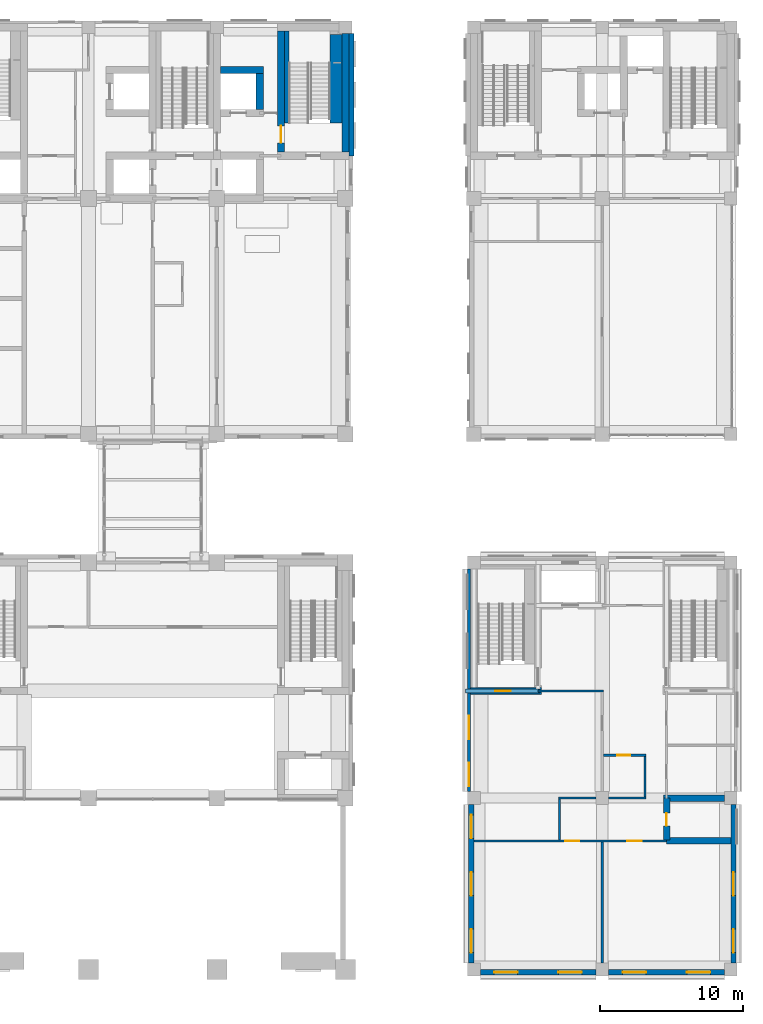
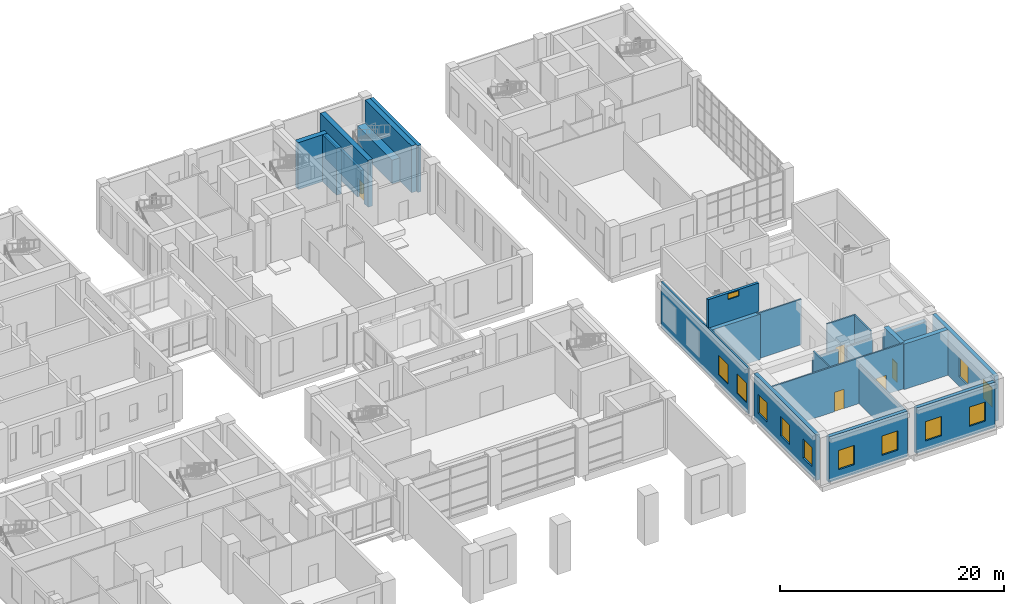
# One storey, part 35 of 52: 25 walls, 12 windows, 5 doors, 17 openings.
"""IFC4 building model written with IfcOpenShell, lengths in metres."""

from ifc_helpers import new_model, si_unit, direction, frame, frame_2d, origin, place, context, subcontext, project, spatial, rectangle, extrude, material, layer, layer_set, type_object, element, fill, save


model = new_model("IFC4")

# Units and contexts
model_context = context("Model", 3, precision=1e-05, world=origin(), true_north=direction((0.0, 1.0)))
body_context = subcontext(model_context, "Body", "Model", "MODEL_VIEW")
ifc_project = project(units=[si_unit("LENGTHUNIT", "METRE"), si_unit("AREAUNIT", "SQUARE_METRE"), si_unit("VOLUMEUNIT", "CUBIC_METRE"), si_unit("PLANEANGLEUNIT", "RADIAN"), si_unit("MASSUNIT", "GRAM", prefix="KILO")], contexts=[model_context])

# Site, building, storey
site_placement = place(None, origin())
site = spatial("IfcSite", under=ifc_project, at=site_placement, CompositionType="ELEMENT")
building_placement = place(site_placement, origin())
building = spatial("IfcBuilding", under=site, at=building_placement, Name="Aurelan Courthouse", CompositionType="ELEMENT")
storey_placement = place(building_placement, frame((0.0, 0.0, 6.60009765625)))
storey = spatial("IfcBuildingStorey", under=building, at=storey_placement, Name="L01", CompositionType="ELEMENT", Elevation=6.60009765625)

# Walls
ifc_material_1 = material(Name="Reinforced concrete block", Category="concrete")
ifc_layer_1 = layer(ifc_material_1, 0.449951171875)
ifc_layer_set_1 = layer_set([ifc_layer_1], Name="Reinforced concrete block")
wall_type_1 = type_object("IfcWallType", Name="Archive fire wall 450 EI 60", PredefinedType="PARTITIONING", material=ifc_layer_set_1)
wall_1_placement = place(storey_placement, frame((85.5, 9.0, 0.0), z_axis=(0.0, 0.0, 1.0), x_axis=(1.0, 0.0, 0.0)))
element("IfcWall", 1, at=wall_1_placement, inside=storey, type_object=wall_type_1, Name="Archive fire wall L01-005", PredefinedType="PARTITIONING", context=body_context, shape_type="SweptSolid", body=[
    extrude(rectangle(XDim=4.5, YDim=0.449951171875, at=frame_2d((2.25, 0.0))), origin(), (0.0, 0.0, 1.0), 4.951904296875),
])
wall_2_placement = place(storey_placement, frame((85.27490234375, 12.0, 0.0), z_axis=(0.0, 0.0, 1.0), x_axis=(1.0, 0.0, 0.0)))
element("IfcWall", 2, at=wall_2_placement, inside=storey, type_object=wall_type_1, Name="Archive fire wall L01-012", PredefinedType="PARTITIONING", context=body_context, shape_type="SweptSolid", body=[
    extrude(rectangle(XDim=4.275146484375, YDim=0.449951171875, at=frame_2d((2.1376953125, 0.0))), origin(), (0.0, 0.0, 1.0), 4.201904296875),
])

# Wall, opening, door
wall_3_placement = place(storey_placement, frame((85.5, 9.074951171875, 0.0), z_axis=(0.0, 0.0, 1.0), x_axis=(0.0, 1.0, 0.0)))
wall_3 = element("IfcWall", 3, at=wall_3_placement, inside=storey, type_object=wall_type_1, Name="Archive fire wall L01-110", PredefinedType="PARTITIONING", context=body_context, shape_type="SweptSolid", body=[
    extrude(rectangle(XDim=2.925048828125, YDim=0.449951171875, at=frame_2d((1.46240234375, 0.0))), origin(), (0.0, 0.0, 1.0), 4.951904296875),
])
opening_1_placement = place(wall_3_placement, frame((0.97509765625, 0.0, 0.0)))
opening_1 = element("IfcOpeningElement", 4, at=opening_1_placement, cuts=wall_3, Name="Opening D-L01-057", PredefinedType="OPENING", context=body_context, shape_type="SweptSolid", body=[
    extrude(rectangle(XDim=0.89990234375, YDim=2.10009765625, at=frame_2d((0.449951171875, 1.050048828125))), frame((0.0, 0.23486328125, 0.0), z_axis=(0.0, -1.0, 0.0), x_axis=(1.0, 0.0, 0.0)), (0.0, 0.0, 1.0), 0.469970703125),
])
ifc_material_2 = material(Name="Steel", Category="steel")
door_type_1 = type_object("IfcDoorType", Name="Single door 900 x 2100 FD60", OperationType="SINGLE_SWING_LEFT", PredefinedType="DOOR", material=ifc_material_2)
door_1_placement = place(opening_1_placement, origin())
door_1 = element("IfcDoor", 5, at=door_1_placement, inside=storey, type_object=door_type_1, Name="Single door D-L01-057", OperationType="SINGLE_SWING_RIGHT", OverallHeight=2.10009765625, OverallWidth=0.89990234375, PredefinedType="DOOR", context=body_context, shape_type="SweptSolid", body=[
    extrude(rectangle(XDim=0.89990234375, YDim=2.10009765625, at=frame_2d((0.449951171875, 1.050048828125))), frame((0.0, 0.02490234375, 0.0), z_axis=(0.0, -1.0, 0.0), x_axis=(1.0, 0.0, 0.0)), (0.0, 0.0, 1.0), 0.050048828125),
])
fill(opening_1, door_1)

# Wall
ifc_material_3 = material(Name="Granite cladding", Category="masonry")
ifc_layer_2 = layer(ifc_material_3, 0.10009765625, Name="Facing")
ifc_material_4 = material(Name="Ventilated cavity")
ifc_layer_3 = layer(ifc_material_4, 0.02490234375, ventilated=True, Name="Ventilated cavity")
ifc_material_5 = material(Name="Mineral wool insulation")
ifc_layer_4 = layer(ifc_material_5, 0.050048828125, Name="Insulation")
ifc_material_6 = material(Name="Concrete C30", Category="concrete")
ifc_layer_5 = layer(ifc_material_6, 0.175048828125, Name="Structure")
ifc_layer_set_2 = layer_set([ifc_layer_2, ifc_layer_3, ifc_layer_4, ifc_layer_5], Name="Concrete C30")
wall_type_2 = type_object("IfcWallType", Name="Courtroom Block granite-faced wall 350", PredefinedType="SOLIDWALL", material=ifc_layer_set_2)
wall_4_placement = place(storey_placement, frame((63.425048828125, 57.0, 0.0), z_axis=(0.0, 0.0, 1.0), x_axis=(0.0, 1.0, 0.0)))
element("IfcWall", 6, at=wall_4_placement, inside=storey, type_object=wall_type_2, Name="Facade wall FW-V2-L01-008", PredefinedType="SOLIDWALL", context=body_context, shape_type="SweptSolid", body=[
    extrude(rectangle(XDim=8.550048828125, YDim=0.35009765625, at=frame_2d((4.27490234375, 0.0))), origin(), (0.0, 0.0, 1.0), 5.099853515625),
])

# Wall, opening, window
ifc_material_7 = material(Name="Concrete C40", Category="concrete")
ifc_layer_6 = layer(ifc_material_7, 0.280029296875)
ifc_layer_set_3 = layer_set([ifc_layer_6], Name="Concrete C40")
wall_type_3 = type_object("IfcWallType", Name="Head house wall 280 x 3100", PredefinedType="SOLIDWALL", material=ifc_layer_set_3)
wall_5_placement = place(storey_placement, frame((71.429931640625, 19.5, 5.201904296875), z_axis=(0.0, 0.0, 1.0), x_axis=(1.0, 0.0, 0.0)))
wall_5 = element("IfcWall", 7, at=wall_5_placement, inside=storey, type_object=wall_type_3, Name="Head house wall HH-ST-4A-S", PredefinedType="SOLIDWALL", context=body_context, shape_type="SweptSolid", body=[
    extrude(rectangle(XDim=5.2099609375, YDim=0.280029296875, at=frame_2d((2.60498046875, 0.0))), origin(), (0.0, 0.0, 1.0), 3.10009765625),
])
opening_2_placement = place(wall_5_placement, frame((2.054931640625, 0.0, 2.39990234375)))
opening_2 = element("IfcOpeningElement", 8, at=opening_2_placement, cuts=wall_5, Name="Opening HL-ST-4A", PredefinedType="OPENING", context=body_context, shape_type="SweptSolid", body=[
    extrude(rectangle(XDim=1.10009765625, YDim=0.60009765625, at=frame_2d((0.550048828125, 0.300048828125))), frame((0.0, 0.14990234375, 0.0), z_axis=(0.0, -1.0, 0.0), x_axis=(1.0, 0.0, 0.0)), (0.0, 0.0, 1.0), 0.300048828125),
])
ifc_material_8 = material(Name="Bronze-finished aluminium louvre", Category="aluminium")
window_type_1 = type_object("IfcWindowType", Name="Head house louvre 1100 x 600", PartitioningType="SINGLE_PANEL", PredefinedType="WINDOW", material=ifc_material_8)
window_1_placement = place(opening_2_placement, origin())
window_1 = element("IfcWindow", 9, at=window_1_placement, inside=storey, type_object=window_type_1, Name="Head house louvre HL-ST-4A", OverallHeight=0.60009765625, OverallWidth=1.10009765625, PartitioningType="SINGLE_PANEL", PredefinedType="WINDOW", context=body_context, shape_type="SweptSolid", body=[
    extrude(rectangle(XDim=1.10009765625, YDim=0.60009765625, at=frame_2d((0.550048828125, 0.300048828125))), frame((0.0, 0.030029296875, 0.0), z_axis=(0.0, -1.0, 0.0), x_axis=(1.0, 0.0, 0.0)), (0.0, 0.0, 1.0), 0.06005859375),
])
fill(opening_2, window_1)

# Wall, openings, doors
ifc_material_9 = material(Name="Gypsum board on metal studs")
ifc_layer_7 = layer(ifc_material_9, 0.14990234375)
ifc_layer_set_4 = layer_set([ifc_layer_7], Name="Gypsum board on metal studs")
wall_type_4 = type_object("IfcWallType", Name="Partition 150 NOT RATED", PredefinedType="PARTITIONING", material=ifc_layer_set_4)
wall_6_placement = place(storey_placement, frame((72.0, 9.0, 0.0), z_axis=(0.0, 0.0, 1.0), x_axis=(1.0, 0.0, 0.0)))
wall_6 = element("IfcWall", 10, at=wall_6_placement, inside=storey, type_object=wall_type_4, Name="Partition L01-004", PredefinedType="PARTITIONING", context=body_context, shape_type="SweptSolid", body=[
    extrude(rectangle(XDim=13.5, YDim=0.14990234375, at=frame_2d((6.75, 0.0))), origin(), (0.0, 0.0, 1.0), 4.951904296875),
])
opening_3_placement = place(wall_6_placement, frame((6.39990234375, 0.0, 0.0)))
opening_3 = element("IfcOpeningElement", 11, at=opening_3_placement, cuts=wall_6, Name="Opening D-L01-054", PredefinedType="OPENING", context=body_context, shape_type="SweptSolid", body=[
    extrude(rectangle(XDim=1.0, YDim=2.10009765625, at=frame_2d((0.5, 1.050048828125))), frame((0.0, 0.0849609375, 0.0), z_axis=(0.0, -1.0, 0.0), x_axis=(1.0, 0.0, 0.0)), (0.0, 0.0, 1.0), 0.169921875),
])
opening_4_placement = place(wall_6_placement, frame((10.75, 0.0, 0.0)))
opening_4 = element("IfcOpeningElement", 12, at=opening_4_placement, cuts=wall_6, Name="Opening D-L01-055", PredefinedType="OPENING", context=body_context, shape_type="SweptSolid", body=[
    extrude(rectangle(XDim=1.0, YDim=2.10009765625, at=frame_2d((0.5, 1.050048828125))), frame((0.0, 0.0849609375, 0.0), z_axis=(0.0, -1.0, 0.0), x_axis=(1.0, 0.0, 0.0)), (0.0, 0.0, 1.0), 0.169921875),
])
ifc_material_10 = material(Name="Timber", Category="wood")
door_type_2 = type_object("IfcDoorType", Name="Single door 1000 x 2100 NOT RATED", OperationType="SINGLE_SWING_LEFT", PredefinedType="DOOR", material=ifc_material_10)
door_2_placement = place(opening_3_placement, origin())
door_2 = element("IfcDoor", 13, at=door_2_placement, inside=storey, type_object=door_type_2, Name="Single door D-L01-054", OperationType="SINGLE_SWING_LEFT", OverallHeight=2.10009765625, OverallWidth=1.0, PredefinedType="DOOR", context=body_context, shape_type="SweptSolid", body=[
    extrude(rectangle(XDim=1.0, YDim=2.10009765625, at=frame_2d((0.5, 1.050048828125))), frame((0.0, 0.02490234375, 0.0), z_axis=(0.0, -1.0, 0.0), x_axis=(1.0, 0.0, 0.0)), (0.0, 0.0, 1.0), 0.050048828125),
])
fill(opening_3, door_2)
door_3_placement = place(opening_4_placement, origin())
door_3 = element("IfcDoor", 14, at=door_3_placement, inside=storey, type_object=door_type_2, Name="Single door D-L01-055", OperationType="SINGLE_SWING_RIGHT", OverallHeight=2.10009765625, OverallWidth=1.0, PredefinedType="DOOR", context=body_context, shape_type="SweptSolid", body=[
    extrude(rectangle(XDim=1.0, YDim=2.10009765625, at=frame_2d((0.5, 1.050048828125))), frame((0.0, 0.02490234375, 0.0), z_axis=(0.0, -1.0, 0.0), x_axis=(1.0, 0.0, 0.0)), (0.0, 0.0, 1.0), 0.050048828125),
])
fill(opening_4, door_3)

# Walls
for number, where, z_axis, x_axis, name in (
    (15, (77.925048828125, 12.0, 0.0), (0.0, 0.0, 1.0), (1.0, 0.0, 0.0), "Partition L01-010"),
    (16, (81.449951171875, 12.0, 0.0), (0.0, 0.0, 1.0), (1.0, 0.0, 0.0), "Partition L01-011"),
):
    element("IfcWall", number, at=place(storey_placement, frame(where, z_axis=z_axis, x_axis=x_axis)), inside=storey, type_object=wall_type_4, Name=name, PredefinedType="PARTITIONING", context=body_context, shape_type="SweptSolid", body=[
        extrude(rectangle(XDim=2.625, YDim=0.14990234375, at=frame_2d((1.3125, 0.0))), origin(), (0.0, 0.0, 1.0), 4.201904296875),
    ])

# Wall, opening, door
wall_7_placement = place(storey_placement, frame((81.074951171875, 15.0, 0.0), z_axis=(0.0, 0.0, 1.0), x_axis=(1.0, 0.0, 0.0)))
wall_7 = element("IfcWall", 17, at=wall_7_placement, inside=storey, type_object=wall_type_4, Name="Partition L01-014", PredefinedType="PARTITIONING", context=body_context, shape_type="SweptSolid", body=[
    extrude(rectangle(XDim=3.0, YDim=0.14990234375, at=frame_2d((1.5, 0.0))), origin(), (0.0, 0.0, 1.0), 4.951904296875),
])
opening_5_placement = place(wall_7_placement, frame((0.97509765625, 0.0, 0.0)))
opening_5 = element("IfcOpeningElement", 18, at=opening_5_placement, cuts=wall_7, Name="Opening D-L01-053", PredefinedType="OPENING", context=body_context, shape_type="SweptSolid", body=[
    extrude(rectangle(XDim=0.89990234375, YDim=2.10009765625, at=frame_2d((0.449951171875, 1.050048828125))), frame((0.0, 0.0849609375, 0.0), z_axis=(0.0, -1.0, 0.0), x_axis=(1.0, 0.0, 0.0)), (0.0, 0.0, 1.0), 0.169921875),
])
door_type_3 = type_object("IfcDoorType", Name="Single door 900 x 2100 NOT RATED", OperationType="SINGLE_SWING_LEFT", PredefinedType="DOOR", material=ifc_material_10)
door_4_placement = place(opening_5_placement, origin())
door_4 = element("IfcDoor", 19, at=door_4_placement, inside=storey, type_object=door_type_3, Name="Single door D-L01-053", OperationType="SINGLE_SWING_LEFT", OverallHeight=2.10009765625, OverallWidth=0.89990234375, PredefinedType="DOOR", context=body_context, shape_type="SweptSolid", body=[
    extrude(rectangle(XDim=0.89990234375, YDim=2.10009765625, at=frame_2d((0.449951171875, 1.050048828125))), frame((0.0, 0.02490234375, 0.0), z_axis=(0.0, -1.0, 0.0), x_axis=(1.0, 0.0, 0.0)), (0.0, 0.0, 1.0), 0.050048828125),
])
fill(opening_5, door_4)

# Walls
wall_8_placement = place(storey_placement, frame((76.5, 19.5, 0.0), z_axis=(0.0, 0.0, 1.0), x_axis=(1.0, 0.0, 0.0)))
element("IfcWall", 20, at=wall_8_placement, inside=storey, type_object=wall_type_4, Name="Partition L01-022", PredefinedType="PARTITIONING", context=body_context, shape_type="SweptSolid", body=[
    extrude(rectangle(XDim=4.574951171875, YDim=0.14990234375, at=frame_2d((2.28759765625, 0.0))), origin(), (0.0, 0.0, 1.0), 4.951904296875),
])
wall_9_placement = place(storey_placement, frame((78.0, 9.074951171875, 0.0), z_axis=(0.0, 0.0, 1.0), x_axis=(0.0, 1.0, 0.0)))
element("IfcWall", 21, at=wall_9_placement, inside=storey, type_object=wall_type_4, Name="Partition L01-101", PredefinedType="PARTITIONING", context=body_context, shape_type="SweptSolid", body=[
    extrude(rectangle(XDim=2.85009765625, YDim=0.14990234375, at=frame_2d((1.425048828125, 0.0))), origin(), (0.0, 0.0, 1.0), 4.951904296875),
])
wall_10_placement = place(storey_placement, frame((81.0, 0.449951171875, 0.0), z_axis=(0.0, 0.0, 1.0), x_axis=(0.0, 1.0, 0.0)))
element("IfcWall", 22, at=wall_10_placement, inside=storey, type_object=wall_type_4, Name="Partition L01-103", PredefinedType="PARTITIONING", context=body_context, shape_type="SweptSolid", body=[
    extrude(rectangle(XDim=8.47509765625, YDim=0.14990234375, at=frame_2d((4.237548828125, 0.0))), origin(), (0.0, 0.0, 1.0), 4.201904296875),
])
wall_11_placement = place(storey_placement, frame((84.0, 12.074951171875, 0.0), z_axis=(0.0, 0.0, 1.0), x_axis=(0.0, 1.0, 0.0)))
element("IfcWall", 23, at=wall_11_placement, inside=storey, type_object=wall_type_4, Name="Partition L01-109", PredefinedType="PARTITIONING", context=body_context, shape_type="SweptSolid", body=[
    extrude(rectangle(XDim=2.85009765625, YDim=0.14990234375, at=frame_2d((1.425048828125, 0.0))), origin(), (0.0, 0.0, 1.0), 4.951904296875),
])

# Wall, openings, windows
ifc_material_11 = material(Name="Limestone cladding", Category="masonry")
ifc_layer_8 = layer(ifc_material_11, 0.050048828125, Name="Facing")
ifc_layer_9 = layer(ifc_material_4, 0.02490234375, ventilated=True, Name="Ventilated cavity")
ifc_layer_10 = layer(ifc_material_5, 0.02490234375, Name="Insulation")
ifc_layer_11 = layer(ifc_material_6, 0.080078125, Name="Structure")
ifc_layer_set_5 = layer_set([ifc_layer_8, ifc_layer_9, ifc_layer_10, ifc_layer_11], Name="Concrete C30")
wall_type_5 = type_object("IfcWallType", Name="Public Hall and Registry stone-faced wall 180", PredefinedType="SOLIDWALL", material=ifc_layer_set_5)
wall_12_placement = place(storey_placement, frame((71.659912109375, 12.449951171875, 0.0), z_axis=(0.0, 0.0, 1.0), x_axis=(0.0, 1.0, 0.0)))
wall_12 = element("IfcWall", 24, at=wall_12_placement, inside=storey, type_object=wall_type_5, Name="Facade wall FW-V4-L01-008", PredefinedType="SOLIDWALL", context=body_context, shape_type="SweptSolid", body=[
    extrude(rectangle(XDim=15.60009765625, YDim=0.179931640625, at=frame_2d((7.800048828125, 0.0))), origin(), (0.0, 0.0, 1.0), 4.951904296875),
])
opening_6_placement = place(wall_12_placement, frame((0.375, 0.0, 1.050048828125)))
opening_6 = element("IfcOpeningElement", 25, at=opening_6_placement, cuts=wall_12, Name="Opening WN-V4-L01-012", PredefinedType="OPENING", context=body_context, shape_type="SweptSolid", body=[
    extrude(rectangle(XDim=1.64990234375, YDim=2.10009765625, at=frame_2d((0.824951171875, 1.050048828125))), frame((0.0, 0.099853515625, 0.0), z_axis=(0.0, -1.0, 0.0), x_axis=(1.0, 0.0, 0.0)), (0.0, 0.0, 1.0), 0.199951171875),
])
opening_7_placement = place(wall_12_placement, frame((3.675048828125, 0.0, 1.050048828125)))
opening_7 = element("IfcOpeningElement", 26, at=opening_7_placement, cuts=wall_12, Name="Opening WN-V4-L01-013", PredefinedType="OPENING", context=body_context, shape_type="SweptSolid", body=[
    extrude(rectangle(XDim=1.64990234375, YDim=2.10009765625, at=frame_2d((0.824951171875, 1.050048828125))), frame((0.0, 0.099853515625, 0.0), z_axis=(0.0, -1.0, 0.0), x_axis=(1.0, 0.0, 0.0)), (0.0, 0.0, 1.0), 0.199951171875),
])
ifc_material_12 = material(Name="Bronze-finished aluminium and glass", Category="aluminium")
window_type_2 = type_object("IfcWindowType", Name="Public Hall and Registry window 1650 x 2100, sill 1050", PartitioningType="SINGLE_PANEL", PredefinedType="WINDOW", material=ifc_material_12)
window_2_placement = place(opening_6_placement, origin())
window_2 = element("IfcWindow", 27, at=window_2_placement, inside=storey, type_object=window_type_2, Name="Window WN-V4-L01-012", OverallHeight=2.10009765625, OverallWidth=1.64990234375, PartitioningType="SINGLE_PANEL", PredefinedType="WINDOW", context=body_context, shape_type="SweptSolid", body=[
    extrude(rectangle(XDim=1.64990234375, YDim=2.10009765625, at=frame_2d((0.824951171875, 1.050048828125))), frame((0.0, 0.030029296875, 0.0), z_axis=(0.0, -1.0, 0.0), x_axis=(1.0, 0.0, 0.0)), (0.0, 0.0, 1.0), 0.06005859375),
])
fill(opening_6, window_2)
window_3_placement = place(opening_7_placement, origin())
window_3 = element("IfcWindow", 28, at=window_3_placement, inside=storey, type_object=window_type_2, Name="Window WN-V4-L01-013", OverallHeight=2.10009765625, OverallWidth=1.64990234375, PartitioningType="SINGLE_PANEL", PredefinedType="WINDOW", context=body_context, shape_type="SweptSolid", body=[
    extrude(rectangle(XDim=1.64990234375, YDim=2.10009765625, at=frame_2d((0.824951171875, 1.050048828125))), frame((0.0, 0.030029296875, 0.0), z_axis=(0.0, -1.0, 0.0), x_axis=(1.0, 0.0, 0.0)), (0.0, 0.0, 1.0), 0.06005859375),
])
fill(opening_7, window_3)

ifc_layer_12 = layer(ifc_material_11, 0.110107421875, Name="Facing")
ifc_layer_13 = layer(ifc_material_4, 0.02490234375, ventilated=True, Name="Ventilated cavity")
ifc_layer_14 = layer(ifc_material_5, 0.054931640625, Name="Insulation")
ifc_layer_15 = layer(ifc_material_6, 0.18994140625, Name="Structure")
ifc_layer_set_6 = layer_set([ifc_layer_12, ifc_layer_13, ifc_layer_14, ifc_layer_15], Name="Concrete C30")
wall_type_6 = type_object("IfcWallType", Name="Public Hall and Registry stone-faced wall 380", PredefinedType="SOLIDWALL", material=ifc_layer_set_6)
wall_13_placement = place(storey_placement, frame((72.449951171875, -0.18994140625, 0.0), z_axis=(0.0, 0.0, 1.0), x_axis=(1.0, 0.0, 0.0)))
wall_13 = element("IfcWall", 29, at=wall_13_placement, inside=storey, type_object=wall_type_6, Name="Facade wall FW-V4-L01-001", PredefinedType="SOLIDWALL", context=body_context, shape_type="SweptSolid", body=[
    extrude(rectangle(XDim=8.10009765625, YDim=0.3798828125, at=frame_2d((4.050048828125, 0.0))), origin(), (0.0, 0.0, 1.0), 4.951904296875),
])
opening_8_placement = place(wall_13_placement, frame((0.97509765625, 0.0, 1.050048828125)))
opening_8 = element("IfcOpeningElement", 30, at=opening_8_placement, cuts=wall_13, Name="Opening WN-V4-L01-001", PredefinedType="OPENING", context=body_context, shape_type="SweptSolid", body=[
    extrude(rectangle(XDim=1.64990234375, YDim=2.10009765625, at=frame_2d((0.824951171875, 1.050048828125))), frame((0.0, 0.199951171875, 0.0), z_axis=(0.0, -1.0, 0.0), x_axis=(1.0, 0.0, 0.0)), (0.0, 0.0, 1.0), 0.39990234375),
])
opening_9_placement = place(wall_13_placement, frame((5.47509765625, 0.0, 1.050048828125)))
opening_9 = element("IfcOpeningElement", 31, at=opening_9_placement, cuts=wall_13, Name="Opening WN-V4-L01-002", PredefinedType="OPENING", context=body_context, shape_type="SweptSolid", body=[
    extrude(rectangle(XDim=1.64990234375, YDim=2.10009765625, at=frame_2d((0.824951171875, 1.050048828125))), frame((0.0, 0.199951171875, 0.0), z_axis=(0.0, -1.0, 0.0), x_axis=(1.0, 0.0, 0.0)), (0.0, 0.0, 1.0), 0.39990234375),
])
window_4_placement = place(opening_8_placement, origin())
window_4 = element("IfcWindow", 32, at=window_4_placement, inside=storey, type_object=window_type_2, Name="Window WN-V4-L01-001", OverallHeight=2.10009765625, OverallWidth=1.64990234375, PartitioningType="SINGLE_PANEL", PredefinedType="WINDOW", context=body_context, shape_type="SweptSolid", body=[
    extrude(rectangle(XDim=1.64990234375, YDim=2.10009765625, at=frame_2d((0.824951171875, 1.050048828125))), frame((0.0, 0.030029296875, 0.0), z_axis=(0.0, -1.0, 0.0), x_axis=(1.0, 0.0, 0.0)), (0.0, 0.0, 1.0), 0.06005859375),
])
fill(opening_8, window_4)
window_5_placement = place(opening_9_placement, origin())
window_5 = element("IfcWindow", 33, at=window_5_placement, inside=storey, type_object=window_type_2, Name="Window WN-V4-L01-002", OverallHeight=2.10009765625, OverallWidth=1.64990234375, PartitioningType="SINGLE_PANEL", PredefinedType="WINDOW", context=body_context, shape_type="SweptSolid", body=[
    extrude(rectangle(XDim=1.64990234375, YDim=2.10009765625, at=frame_2d((0.824951171875, 1.050048828125))), frame((0.0, 0.030029296875, 0.0), z_axis=(0.0, -1.0, 0.0), x_axis=(1.0, 0.0, 0.0)), (0.0, 0.0, 1.0), 0.06005859375),
])
fill(opening_9, window_5)

wall_14_placement = place(storey_placement, frame((81.449951171875, -0.18994140625, 0.0), z_axis=(0.0, 0.0, 1.0), x_axis=(1.0, 0.0, 0.0)))
wall_14 = element("IfcWall", 34, at=wall_14_placement, inside=storey, type_object=wall_type_6, Name="Facade wall FW-V4-L01-002", PredefinedType="SOLIDWALL", context=body_context, shape_type="SweptSolid", body=[
    extrude(rectangle(XDim=8.10009765625, YDim=0.3798828125, at=frame_2d((4.050048828125, 0.0))), origin(), (0.0, 0.0, 1.0), 4.951904296875),
])
opening_10_placement = place(wall_14_placement, frame((0.97509765625, 0.0, 1.050048828125)))
opening_10 = element("IfcOpeningElement", 35, at=opening_10_placement, cuts=wall_14, Name="Opening WN-V4-L01-003", PredefinedType="OPENING", context=body_context, shape_type="SweptSolid", body=[
    extrude(rectangle(XDim=1.64990234375, YDim=2.10009765625, at=frame_2d((0.824951171875, 1.050048828125))), frame((0.0, 0.199951171875, 0.0), z_axis=(0.0, -1.0, 0.0), x_axis=(1.0, 0.0, 0.0)), (0.0, 0.0, 1.0), 0.39990234375),
])
opening_11_placement = place(wall_14_placement, frame((5.47509765625, 0.0, 1.050048828125)))
opening_11 = element("IfcOpeningElement", 36, at=opening_11_placement, cuts=wall_14, Name="Opening WN-V4-L01-004", PredefinedType="OPENING", context=body_context, shape_type="SweptSolid", body=[
    extrude(rectangle(XDim=1.64990234375, YDim=2.10009765625, at=frame_2d((0.824951171875, 1.050048828125))), frame((0.0, 0.199951171875, 0.0), z_axis=(0.0, -1.0, 0.0), x_axis=(1.0, 0.0, 0.0)), (0.0, 0.0, 1.0), 0.39990234375),
])
window_6_placement = place(opening_10_placement, origin())
window_6 = element("IfcWindow", 37, at=window_6_placement, inside=storey, type_object=window_type_2, Name="Window WN-V4-L01-003", OverallHeight=2.10009765625, OverallWidth=1.64990234375, PartitioningType="SINGLE_PANEL", PredefinedType="WINDOW", context=body_context, shape_type="SweptSolid", body=[
    extrude(rectangle(XDim=1.64990234375, YDim=2.10009765625, at=frame_2d((0.824951171875, 1.050048828125))), frame((0.0, 0.030029296875, 0.0), z_axis=(0.0, -1.0, 0.0), x_axis=(1.0, 0.0, 0.0)), (0.0, 0.0, 1.0), 0.06005859375),
])
fill(opening_10, window_6)
window_7_placement = place(opening_11_placement, origin())
window_7 = element("IfcWindow", 38, at=window_7_placement, inside=storey, type_object=window_type_2, Name="Window WN-V4-L01-004", OverallHeight=2.10009765625, OverallWidth=1.64990234375, PartitioningType="SINGLE_PANEL", PredefinedType="WINDOW", context=body_context, shape_type="SweptSolid", body=[
    extrude(rectangle(XDim=1.64990234375, YDim=2.10009765625, at=frame_2d((0.824951171875, 1.050048828125))), frame((0.0, 0.030029296875, 0.0), z_axis=(0.0, -1.0, 0.0), x_axis=(1.0, 0.0, 0.0)), (0.0, 0.0, 1.0), 0.06005859375),
])
fill(opening_11, window_7)

wall_15_placement = place(storey_placement, frame((90.18994140625, 0.449951171875, 0.0), z_axis=(0.0, 0.0, 1.0), x_axis=(0.0, 1.0, 0.0)))
wall_15 = element("IfcWall", 39, at=wall_15_placement, inside=storey, type_object=wall_type_6, Name="Facade wall FW-V4-L01-005", PredefinedType="SOLIDWALL", context=body_context, shape_type="SweptSolid", body=[
    extrude(rectangle(XDim=11.10009765625, YDim=0.3798828125, at=frame_2d((5.550048828125, 0.0))), origin(), (0.0, 0.0, 1.0), 4.951904296875),
])
opening_12_placement = place(wall_15_placement, frame((0.72509765625, 0.0, 1.050048828125)))
opening_12 = element("IfcOpeningElement", 40, at=opening_12_placement, cuts=wall_15, Name="Opening WN-V4-L01-006", PredefinedType="OPENING", context=body_context, shape_type="SweptSolid", body=[
    extrude(rectangle(XDim=1.64990234375, YDim=2.10009765625, at=frame_2d((0.824951171875, 1.050048828125))), frame((0.0, 0.199951171875, 0.0), z_axis=(0.0, -1.0, 0.0), x_axis=(1.0, 0.0, 0.0)), (0.0, 0.0, 1.0), 0.39990234375),
])
opening_13_placement = place(wall_15_placement, frame((4.72509765625, 0.0, 1.050048828125)))
opening_13 = element("IfcOpeningElement", 41, at=opening_13_placement, cuts=wall_15, Name="Opening WN-V4-L01-007", PredefinedType="OPENING", context=body_context, shape_type="SweptSolid", body=[
    extrude(rectangle(XDim=1.64990234375, YDim=2.10009765625, at=frame_2d((0.824951171875, 1.050048828125))), frame((0.0, 0.199951171875, 0.0), z_axis=(0.0, -1.0, 0.0), x_axis=(1.0, 0.0, 0.0)), (0.0, 0.0, 1.0), 0.39990234375),
])
window_8_placement = place(opening_12_placement, origin())
window_8 = element("IfcWindow", 42, at=window_8_placement, inside=storey, type_object=window_type_2, Name="Window WN-V4-L01-006", OverallHeight=2.10009765625, OverallWidth=1.64990234375, PartitioningType="SINGLE_PANEL", PredefinedType="WINDOW", context=body_context, shape_type="SweptSolid", body=[
    extrude(rectangle(XDim=1.64990234375, YDim=2.10009765625, at=frame_2d((0.824951171875, 1.050048828125))), frame((0.0, 0.030029296875, 0.0), z_axis=(0.0, -1.0, 0.0), x_axis=(1.0, 0.0, 0.0)), (0.0, 0.0, 1.0), 0.06005859375),
])
fill(opening_12, window_8)
window_9_placement = place(opening_13_placement, origin())
window_9 = element("IfcWindow", 43, at=window_9_placement, inside=storey, type_object=window_type_2, Name="Window WN-V4-L01-007", OverallHeight=2.10009765625, OverallWidth=1.64990234375, PartitioningType="SINGLE_PANEL", PredefinedType="WINDOW", context=body_context, shape_type="SweptSolid", body=[
    extrude(rectangle(XDim=1.64990234375, YDim=2.10009765625, at=frame_2d((0.824951171875, 1.050048828125))), frame((0.0, 0.030029296875, 0.0), z_axis=(0.0, -1.0, 0.0), x_axis=(1.0, 0.0, 0.0)), (0.0, 0.0, 1.0), 0.06005859375),
])
fill(opening_13, window_9)

wall_16_placement = place(storey_placement, frame((71.81005859375, 0.449951171875, 0.0), z_axis=(0.0, 0.0, 1.0), x_axis=(0.0, 1.0, 0.0)))
wall_16 = element("IfcWall", 44, at=wall_16_placement, inside=storey, type_object=wall_type_6, Name="Facade wall FW-V4-L01-007", PredefinedType="SOLIDWALL", context=body_context, shape_type="SweptSolid", body=[
    extrude(rectangle(XDim=11.10009765625, YDim=0.3798828125, at=frame_2d((5.550048828125, 0.0))), origin(), (0.0, 0.0, 1.0), 4.951904296875),
])
opening_14_placement = place(wall_16_placement, frame((0.72509765625, 0.0, 1.050048828125)))
opening_14 = element("IfcOpeningElement", 45, at=opening_14_placement, cuts=wall_16, Name="Opening WN-V4-L01-009", PredefinedType="OPENING", context=body_context, shape_type="SweptSolid", body=[
    extrude(rectangle(XDim=1.64990234375, YDim=2.10009765625, at=frame_2d((0.824951171875, 1.050048828125))), frame((0.0, 0.199951171875, 0.0), z_axis=(0.0, -1.0, 0.0), x_axis=(1.0, 0.0, 0.0)), (0.0, 0.0, 1.0), 0.39990234375),
])
opening_15_placement = place(wall_16_placement, frame((4.72509765625, 0.0, 1.050048828125)))
opening_15 = element("IfcOpeningElement", 46, at=opening_15_placement, cuts=wall_16, Name="Opening WN-V4-L01-010", PredefinedType="OPENING", context=body_context, shape_type="SweptSolid", body=[
    extrude(rectangle(XDim=1.64990234375, YDim=2.10009765625, at=frame_2d((0.824951171875, 1.050048828125))), frame((0.0, 0.199951171875, 0.0), z_axis=(0.0, -1.0, 0.0), x_axis=(1.0, 0.0, 0.0)), (0.0, 0.0, 1.0), 0.39990234375),
])
opening_16_placement = place(wall_16_placement, frame((8.72509765625, 0.0, 1.050048828125)))
opening_16 = element("IfcOpeningElement", 47, at=opening_16_placement, cuts=wall_16, Name="Opening WN-V4-L01-011", PredefinedType="OPENING", context=body_context, shape_type="SweptSolid", body=[
    extrude(rectangle(XDim=1.64990234375, YDim=2.10009765625, at=frame_2d((0.824951171875, 1.050048828125))), frame((0.0, 0.199951171875, 0.0), z_axis=(0.0, -1.0, 0.0), x_axis=(1.0, 0.0, 0.0)), (0.0, 0.0, 1.0), 0.39990234375),
])
window_10_placement = place(opening_14_placement, origin())
window_10 = element("IfcWindow", 48, at=window_10_placement, inside=storey, type_object=window_type_2, Name="Window WN-V4-L01-009", OverallHeight=2.10009765625, OverallWidth=1.64990234375, PartitioningType="SINGLE_PANEL", PredefinedType="WINDOW", context=body_context, shape_type="SweptSolid", body=[
    extrude(rectangle(XDim=1.64990234375, YDim=2.10009765625, at=frame_2d((0.824951171875, 1.050048828125))), frame((0.0, 0.030029296875, 0.0), z_axis=(0.0, -1.0, 0.0), x_axis=(1.0, 0.0, 0.0)), (0.0, 0.0, 1.0), 0.06005859375),
])
fill(opening_14, window_10)
window_11_placement = place(opening_15_placement, origin())
window_11 = element("IfcWindow", 49, at=window_11_placement, inside=storey, type_object=window_type_2, Name="Window WN-V4-L01-010", OverallHeight=2.10009765625, OverallWidth=1.64990234375, PartitioningType="SINGLE_PANEL", PredefinedType="WINDOW", context=body_context, shape_type="SweptSolid", body=[
    extrude(rectangle(XDim=1.64990234375, YDim=2.10009765625, at=frame_2d((0.824951171875, 1.050048828125))), frame((0.0, 0.030029296875, 0.0), z_axis=(0.0, -1.0, 0.0), x_axis=(1.0, 0.0, 0.0)), (0.0, 0.0, 1.0), 0.06005859375),
])
fill(opening_15, window_11)
window_12_placement = place(opening_16_placement, origin())
window_12 = element("IfcWindow", 50, at=window_12_placement, inside=storey, type_object=window_type_2, Name="Window WN-V4-L01-011", OverallHeight=2.10009765625, OverallWidth=1.64990234375, PartitioningType="SINGLE_PANEL", PredefinedType="WINDOW", context=body_context, shape_type="SweptSolid", body=[
    extrude(rectangle(XDim=1.64990234375, YDim=2.10009765625, at=frame_2d((0.824951171875, 1.050048828125))), frame((0.0, 0.030029296875, 0.0), z_axis=(0.0, -1.0, 0.0), x_axis=(1.0, 0.0, 0.0)), (0.0, 0.0, 1.0), 0.06005859375),
])
fill(opening_16, window_12)

# Wall
ifc_material_13 = material(Name="Concrete C50", Category="concrete")
ifc_layer_16 = layer(ifc_material_13, 0.5)
ifc_layer_set_7 = layer_set([ifc_layer_16], Name="Concrete C50")
wall_type_7 = type_object("IfcWallType", Name="RC shear wall 500", PredefinedType="SHEAR", material=ifc_layer_set_7)
wall_17_placement = place(storey_placement, frame((71.75, 19.5, 0.0), z_axis=(0.0, 0.0, 1.0), x_axis=(1.0, 0.0, 0.0)))
element("IfcWall", 51, at=wall_17_placement, inside=storey, type_object=wall_type_7, Name="Core wall SW-L01-009", PredefinedType="SHEAR", context=body_context, shape_type="SweptSolid", body=[
    extrude(rectangle(XDim=5.0, YDim=0.5, at=frame_2d((2.5, 0.0))), origin(), (0.0, 0.0, 1.0), 4.951904296875),
])

# Wall, opening, door
wall_18_placement = place(storey_placement, frame((58.5, 57.25, 0.0), z_axis=(0.0, 0.0, 1.0), x_axis=(0.0, 1.0, 0.0)))
wall_18 = element("IfcWall", 52, at=wall_18_placement, inside=storey, type_object=wall_type_7, Name="Core wall SW-L01-061", PredefinedType="SHEAR", context=body_context, shape_type="SweptSolid", body=[
    extrude(rectangle(XDim=8.5, YDim=0.5, at=frame_2d((4.25, 0.0))), origin(), (0.0, 0.0, 1.0), 5.099853515625),
])
opening_17_placement = place(wall_18_placement, frame((1.849853515625, 0.0, 0.0), z_axis=(0.0, 0.0, 1.0), x_axis=(-1.0, 0.0, 0.0)))
opening_17 = element("IfcOpeningElement", 53, at=opening_17_placement, cuts=wall_18, Name="Opening D-L01-016", PredefinedType="OPENING", context=body_context, shape_type="SweptSolid", body=[
    extrude(rectangle(XDim=1.199951171875, YDim=2.10009765625, at=frame_2d((0.60009765625, 1.050048828125))), frame((0.0, 0.260009765625, 0.0), z_axis=(0.0, -1.0, 0.0), x_axis=(1.0, 0.0, 0.0)), (0.0, 0.0, 1.0), 0.52001953125),
])
door_type_4 = type_object("IfcDoorType", Name="Single door 1200 x 2100 FD90", OperationType="SINGLE_SWING_LEFT", PredefinedType="DOOR", material=ifc_material_2)
door_5_placement = place(opening_17_placement, origin())
door_5 = element("IfcDoor", 54, at=door_5_placement, inside=storey, type_object=door_type_4, Name="Single door D-L01-016", OperationType="SINGLE_SWING_RIGHT", OverallHeight=2.10009765625, OverallWidth=1.199951171875, PredefinedType="DOOR", context=body_context, shape_type="SweptSolid", body=[
    extrude(rectangle(XDim=1.199951171875, YDim=2.10009765625, at=frame_2d((0.60009765625, 1.050048828125))), frame((0.0, 0.02490234375, 0.0), z_axis=(0.0, -1.0, 0.0), x_axis=(1.0, 0.0, 0.0)), (0.0, 0.0, 1.0), 0.050048828125),
])
fill(opening_17, door_5)

# Walls
wall_19_placement = place(storey_placement, frame((63.0, 57.25, 0.0), z_axis=(0.0, 0.0, 1.0), x_axis=(0.0, 1.0, 0.0)))
element("IfcWall", 55, at=wall_19_placement, inside=storey, type_object=wall_type_7, Name="Core wall SW-L01-062", PredefinedType="SHEAR", context=body_context, shape_type="SweptSolid", body=[
    extrude(rectangle(XDim=8.300048828125, YDim=0.5, at=frame_2d((4.14990234375, 0.0))), origin(), (0.0, 0.0, 1.0), 5.099853515625),
])
wall_20_placement = place(storey_placement, frame((57.0, 60.25, 0.0), z_axis=(0.0, 0.0, 1.0), x_axis=(0.0, 1.0, 0.0)))
element("IfcWall", 56, at=wall_20_placement, inside=storey, type_object=wall_type_7, Name="Core wall SW-L01-075", PredefinedType="SHEAR", context=body_context, shape_type="SweptSolid", body=[
    extrude(rectangle(XDim=2.5, YDim=0.5, at=frame_2d((1.25, 0.0))), origin(), (0.0, 0.0, 1.0), 5.099853515625),
])
wall_21_placement = place(storey_placement, frame((54.25, 63.0, 0.0), z_axis=(0.0, 0.0, 1.0), x_axis=(1.0, 0.0, 0.0)))
element("IfcWall", 57, at=wall_21_placement, inside=storey, type_object=wall_type_7, Name="Core wall SW-L01-080", PredefinedType="SHEAR", context=body_context, shape_type="SweptSolid", body=[
    extrude(rectangle(XDim=3.0, YDim=0.5, at=frame_2d((1.5, 0.0))), origin(), (0.0, 0.0, 1.0), 5.099853515625),
])
ifc_layer_17 = layer(ifc_material_6, 0.2900390625)
ifc_layer_set_8 = layer_set([ifc_layer_17], Name="Concrete C30")
wall_type_8 = type_object("IfcWallType", Name="Stair well wall 290 EI 120 load-bearing", PredefinedType="SHEAR", material=ifc_layer_set_8)
wall_22_placement = place(storey_placement, frame((58.89501953125, 59.31005859375, 0.0), z_axis=(0.0, 0.0, 1.0), x_axis=(0.0, 1.0, 0.0)))
element("IfcWall", 58, at=wall_22_placement, inside=storey, type_object=wall_type_8, Name="Stair well wall ST-2E-L01 A", PredefinedType="SHEAR", context=body_context, shape_type="SweptSolid", body=[
    extrude(rectangle(XDim=6.43994140625, YDim=0.2900390625, at=frame_2d((3.219970703125, 0.0))), origin(), (0.0, 0.0, 1.0), 2.5869140625),
])
ifc_layer_18 = layer(ifc_material_6, 0.81005859375)
ifc_layer_set_9 = layer_set([ifc_layer_18], Name="Concrete C30")
wall_type_9 = type_object("IfcWallType", Name="Stair well wall 810 EI 120 load-bearing", PredefinedType="SHEAR", material=ifc_layer_set_9)
wall_23_placement = place(storey_placement, frame((62.344970703125, 59.31005859375, 0.0), z_axis=(0.0, 0.0, 1.0), x_axis=(0.0, 1.0, 0.0)))
element("IfcWall", 59, at=wall_23_placement, inside=storey, type_object=wall_type_9, Name="Stair well wall ST-2E-L01 B", PredefinedType="SHEAR", context=body_context, shape_type="SweptSolid", body=[
    extrude(rectangle(XDim=6.18994140625, YDim=0.81005859375, at=frame_2d((3.094970703125, 0.0))), origin(), (0.0, 0.0, 1.0), 2.5869140625),
])

save(model, "model.ifc")
